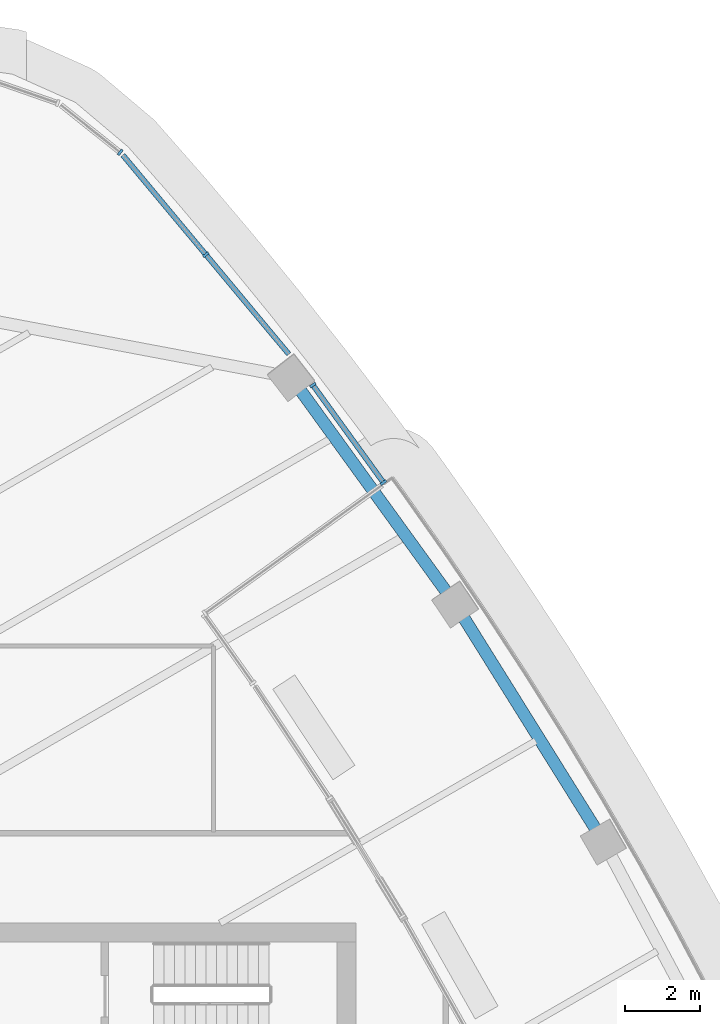
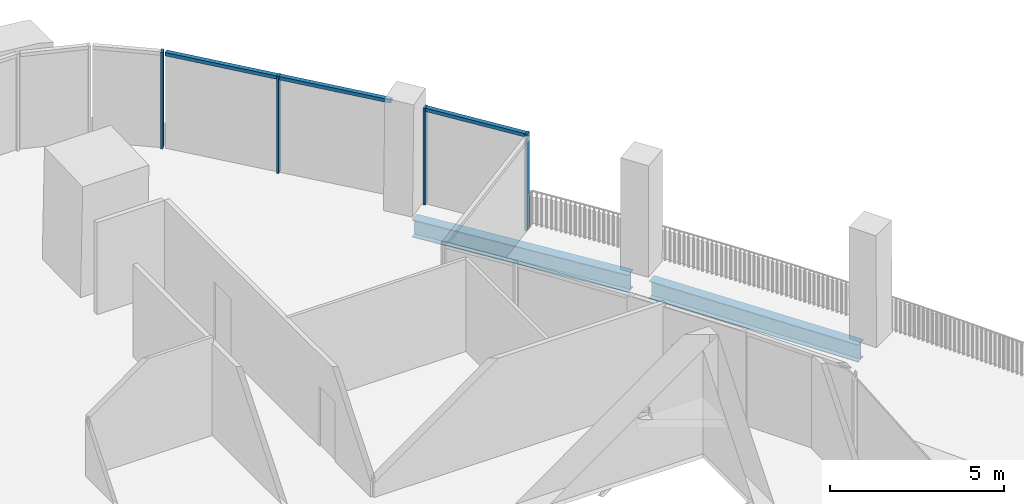
# One storey, part 7 of 20: 7 members, 2 beams, 3 elements without a shape of their own.
"""IFC4 building model written with IfcOpenShell, lengths in metres."""

from ifc_helpers import new_model, si_unit, direction, frame, origin, origin_2d, place, context, subcontext, project, spatial, rectangle, i_section, extrude, material, layer, layer_set, material_profile, profile_set, type_object, element, aggregate, save


model = new_model("IFC4")

# Units and contexts
model_context = context("Model", 3, precision=1e-05, world=origin(), true_north=direction((0.0, 1.0)))
body_context = subcontext(model_context, "Body", "Model", "MODEL_VIEW")
ifc_project = project(units=[si_unit("LENGTHUNIT", "METRE"), si_unit("AREAUNIT", "SQUARE_METRE"), si_unit("VOLUMEUNIT", "CUBIC_METRE"), si_unit("PLANEANGLEUNIT", "RADIAN"), si_unit("MASSUNIT", "GRAM", prefix="KILO")], contexts=[model_context])

# Site, building, storey
site_placement = place(None, origin())
site = spatial("IfcSite", under=ifc_project, at=site_placement, CompositionType="ELEMENT")
building_placement = place(site_placement, origin())
building = spatial("IfcBuilding", under=site, at=building_placement, Name="Sierra Prisma Convention Tower", CompositionType="ELEMENT")
storey_placement = place(building_placement, frame((0.0, 0.0, 275.0)))
storey = spatial("IfcBuildingStorey", under=building, at=storey_placement, Name="L62", CompositionType="ELEMENT", Elevation=275.0)

# Curtain wall, members
ifc_material_1 = material(Name="Aluminium and glass curtain wall", Category="aluminium")
ifc_layer = layer(ifc_material_1, 0.179931640625)
ifc_layer_set = layer_set([ifc_layer], Name="CW-1 Plain shaft curtain wall")
curtain_wall_type = type_object("IfcCurtainWallType", Name="CW-1 Plain shaft curtain wall", PredefinedType="NOTDEFINED", material=ifc_layer_set)
curtain_wall_1_placement = place(storey_placement, origin())
curtain_wall_1 = element("IfcCurtainWall", 1, at=curtain_wall_1_placement, inside=storey, type_object=curtain_wall_type, Name="CW-1 NE5b L62", PredefinedType="NOTDEFINED")
ifc_material_2 = material(Name="Aluminium 6063-T6 bronze anodised", Category="aluminium")
ifc_material_profile_1 = material_profile(ifc_material_2, rectangle(XDim=0.179931640625, YDim=0.070068359375, at=origin_2d()), Name="ALU MULLION 70x180")
ifc_profile_set_1 = profile_set([ifc_material_profile_1], Name="Aluminium 6063-T6 bronze anodised")
member_type_1 = type_object("IfcMemberType", Name="CW mullion bronze", PredefinedType="MULLION", material=ifc_profile_set_1)
member_1_placement = place(storey_placement, frame((11.73486328125, 19.764892578125, 0.0), z_axis=(0.0, 0.0, 1.0), x_axis=(-0.810038021847, -0.586377355601, 0.0)))
member_1 = element("IfcMember", 2, at=member_1_placement, type_object=member_type_1, Name="CW-1 mullion NE5b.1", PredefinedType="MULLION", context=body_context, shape_type="SweptSolid", body=[
    extrude(rectangle(XDim=0.179931640625, YDim=0.070068359375, at=origin_2d()), origin(), (0.0, 0.0, 1.0), 3.39990234375),
])
member_2_placement = place(storey_placement, frame((9.851318359375, 22.366943359375, 0.0), z_axis=(0.0, 0.0, 1.0), x_axis=(-0.810038021847, -0.586377355601, 0.0)))
member_2 = element("IfcMember", 3, at=member_2_placement, type_object=member_type_1, Name="CW-1 mullion NE5b.2", PredefinedType="MULLION", context=body_context, shape_type="SweptSolid", body=[
    extrude(rectangle(XDim=0.179931640625, YDim=0.070068359375, at=origin_2d()), origin(), (0.0, 0.0, 1.0), 3.39990234375),
])

# Curtain wall, member
curtain_wall_2_placement = place(storey_placement, origin())
curtain_wall_2 = element("IfcCurtainWall", 4, at=curtain_wall_2_placement, inside=storey, type_object=curtain_wall_type, Name="CW-1 NE6 L62", PredefinedType="NOTDEFINED")
member_3_placement = place(storey_placement, frame((6.993896484375, 25.848876953125, 0.0), z_axis=(0.0, 0.0, 1.0), x_axis=(-0.767904404552, -0.640564458481, 0.0)))
member_3 = element("IfcMember", 5, at=member_3_placement, type_object=member_type_1, Name="CW-1 mullion NE6.2", PredefinedType="MULLION", context=body_context, shape_type="SweptSolid", body=[
    extrude(rectangle(XDim=0.179931640625, YDim=0.070068359375, at=origin_2d()), origin(), (0.0, 0.0, 1.0), 3.39990234375),
])

curtain_wall_3_placement = place(storey_placement, origin())
curtain_wall_3 = element("IfcCurtainWall", 6, at=curtain_wall_3_placement, inside=storey, type_object=curtain_wall_type, Name="CW-1 N1 L62", PredefinedType="NOTDEFINED")
member_4_placement = place(storey_placement, frame((4.706298828125, 28.580078125, 0.0), z_axis=(0.0, 0.0, 1.0), x_axis=(-0.623326119569, -0.781961986712, 0.0)))
member_4 = element("IfcMember", 7, at=member_4_placement, type_object=member_type_1, Name="CW-1 mullion N1.1", PredefinedType="MULLION", context=body_context, shape_type="SweptSolid", body=[
    extrude(rectangle(XDim=0.179931640625, YDim=0.070068359375, at=origin_2d()), origin(), (0.0, 0.0, 1.0), 3.39990234375),
])
aggregate(curtain_wall_3, [member_4])

# Member
ifc_material_3 = material(Name="Aluminium 6063-T6 bronze anodised", Category="aluminium")
ifc_material_profile_2 = material_profile(ifc_material_3, rectangle(XDim=0.139892578125, YDim=0.1201171875, at=origin_2d()), Name="ALU TRANSOM 120x140")
ifc_profile_set_2 = profile_set([ifc_material_profile_2], Name="Aluminium 6063-T6 bronze anodised")
member_type_2 = type_object("IfcMemberType", Name="CW transom bronze", PredefinedType="USERDEFINED", material=ifc_profile_set_2)
member_5_placement = place(storey_placement, frame((11.71435546875, 19.793212890625, 3.340087890625), z_axis=(-0.586363927609, 0.810047742049, 0.0), x_axis=(-0.810047742049, -0.586363927609, 0.0)))
member_5 = element("IfcMember", 8, at=member_5_placement, type_object=member_type_2, Name="CW-1 transom NE5b.1", ObjectType="TRANSOM", PredefinedType="USERDEFINED", context=body_context, shape_type="SweptSolid", body=[
    extrude(rectangle(XDim=0.139892578125, YDim=0.1201171875, at=origin_2d()), origin(), (0.0, 0.0, 1.0), 3.142333984375),
])

aggregate(curtain_wall_1, [member_1, member_2, member_5])

member_6_placement = place(storey_placement, frame((9.208984375, 23.193115234375, 3.340087890625), z_axis=(-0.640507027946, 0.767952307863, 0.0), x_axis=(-0.767952307863, -0.640507027946, 0.0)))
member_6 = element("IfcMember", 9, at=member_6_placement, type_object=member_type_2, Name="CW-1 transom NE6.1", ObjectType="TRANSOM", PredefinedType="USERDEFINED", context=body_context, shape_type="SweptSolid", body=[
    extrude(rectangle(XDim=0.139892578125, YDim=0.1201171875, at=origin_2d()), origin(), (0.0, 0.0, 1.0), 3.42333984375),
])

member_7_placement = place(storey_placement, frame((6.971435546875, 25.875732421875, 3.340087890625), z_axis=(-0.640584165083, 0.767887965425, 0.0), x_axis=(-0.767887965425, -0.640584165083, 0.0)))
member_7 = element("IfcMember", 10, at=member_7_placement, type_object=member_type_2, Name="CW-1 transom NE6.2", ObjectType="TRANSOM", PredefinedType="USERDEFINED", context=body_context, shape_type="SweptSolid", body=[
    extrude(rectangle(XDim=0.139892578125, YDim=0.1201171875, at=origin_2d()), origin(), (0.0, 0.0, 1.0), 3.42333984375),
])

aggregate(curtain_wall_2, [member_3, member_6, member_7])

# Beams
ifc_material_4 = material(Name="Steel ASTM A992 Gr 50", Category="steel")
ifc_material_profile_3 = material_profile(ifc_material_4, i_section(OverallWidth=0.324951171875, OverallDepth=0.615966796875, WebThickness=0.013916015625, FlangeThickness=0.021484375, at=origin_2d()), Name="W610x174")
ifc_profile_set_3 = profile_set([ifc_material_profile_3], Name="Steel ASTM A992 Gr 50")
beam_type = type_object("IfcBeamType", Name="Spandrel beam W610x174", PredefinedType="BEAM", material=ifc_profile_set_3)
for number, where, z_axis, x_axis, name in (
    (11, (17.440185546875, 10.4501953125, -0.60791015625), (-0.52942623437, 0.848355976204, 0.0), (-0.848355976204, -0.52942623437, 0.0), "Spandrel L62-10"),
    (12, (13.459716796875, 16.785400390625, -0.60791015625), (-0.586372182337, 0.810041766689, 0.0), (-0.810041766689, -0.586372182337, 0.0), "Spandrel L62-11"),
):
    element("IfcBeam", number, at=place(storey_placement, frame(where, z_axis=z_axis, x_axis=x_axis)), inside=storey, type_object=beam_type, Name=name, PredefinedType="BEAM", context=body_context, shape_type="SweptSolid", body=[
        extrude(i_section(OverallWidth=0.324951171875, OverallDepth=0.615966796875, WebThickness=0.013916015625, FlangeThickness=0.021484375, at=origin_2d()), origin(), (0.0, 0.0, 1.0), 6.822021484375),
    ])

save(model, "model.ifc")
